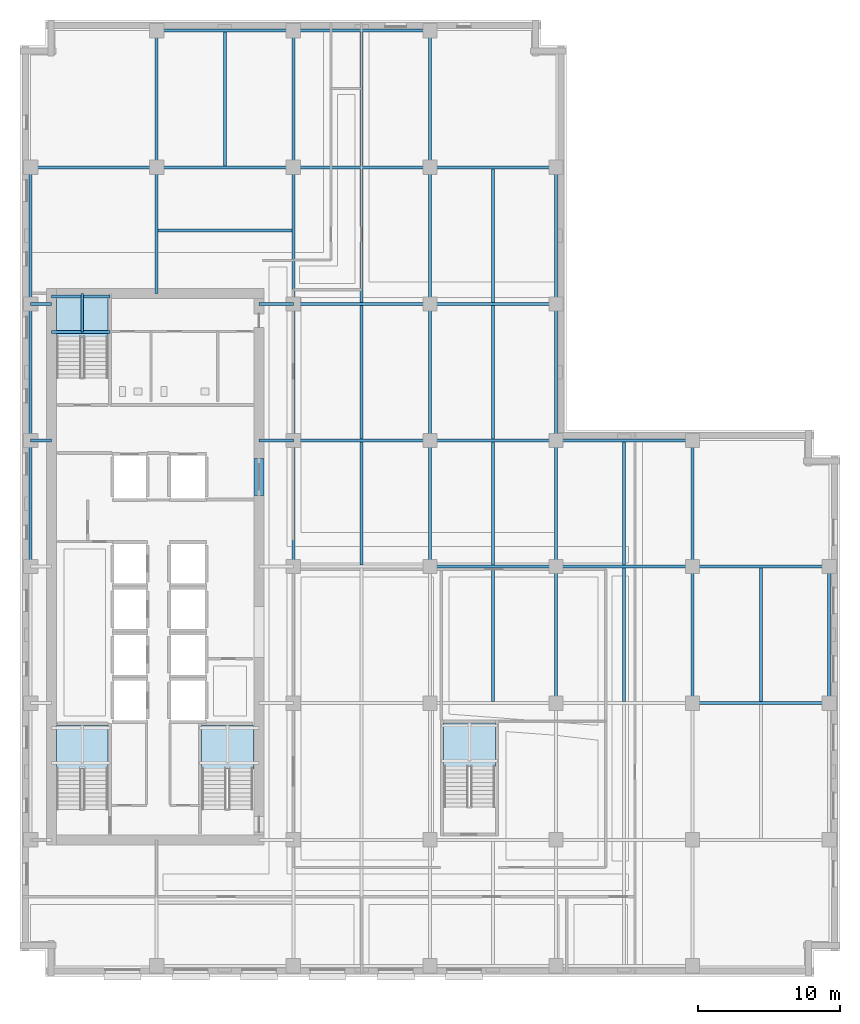
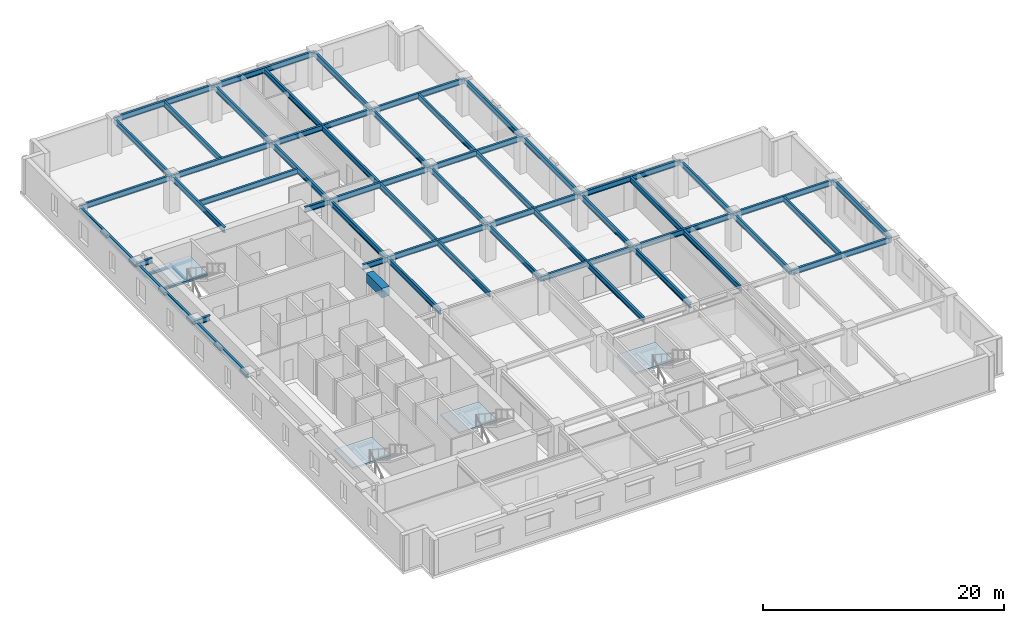
# One storey, part 2 of 12: 56 beams, 4 slabs, 4 elements without a shape of their own.
"""IFC4 building model written with IfcOpenShell, lengths in metres."""

from ifc_helpers import new_model, si_unit, direction, frame, origin, origin_2d, place, context, subcontext, project, spatial, polyline, rectangle, i_section, outline, extrude, material, layer, layer_set, material_profile, profile_set, type_object, element, aggregate, save


model = new_model("IFC4")

# Units and contexts
model_context = context("Model", 3, precision=1e-05, world=origin(), true_north=direction((0.0, 1.0)))
body_context = subcontext(model_context, "Body", "Model", "MODEL_VIEW")
ifc_project = project(units=[si_unit("LENGTHUNIT", "METRE"), si_unit("AREAUNIT", "SQUARE_METRE"), si_unit("VOLUMEUNIT", "CUBIC_METRE"), si_unit("PLANEANGLEUNIT", "RADIAN"), si_unit("MASSUNIT", "GRAM", prefix="KILO")], contexts=[model_context])

# Site, building, storey
site_placement = place(None, origin())
site = spatial("IfcSite", under=ifc_project, at=site_placement, CompositionType="ELEMENT")
building_placement = place(site_placement, origin())
building = spatial("IfcBuilding", under=site, at=building_placement, Name="Norrvale University Quadrangle", CompositionType="ELEMENT")
storey_placement = place(building_placement, frame((0.0, 0.0, 135.60009765625)))
storey = spatial("IfcBuildingStorey", under=building, at=storey_placement, Name="L34", CompositionType="ELEMENT", Elevation=135.60009765625)

# Beams
ifc_material_1 = material(Name="Concrete C80/95", Category="concrete")
ifc_material_profile_1 = material_profile(ifc_material_1, rectangle(XDim=0.699951171875, YDim=0.949951171875, at=origin_2d()), Name="Concrete C80/95")
ifc_profile_set_1 = profile_set([ifc_material_profile_1], Name="Concrete C80/95")
beam_type_1 = type_object("IfcBeamType", Name="Beam Core Link 700x950", PredefinedType="LINTEL", material=ifc_profile_set_1)
beam_1_placement = place(storey_placement, frame((16.800048828125, 33.800048828125, 3.06494140625), z_axis=(0.0, 1.0, 0.0), x_axis=(-1.0, 0.0, 0.0)))
element("IfcBeam", 1, at=beam_1_placement, inside=storey, type_object=beam_type_1, Name="Core Coupling Lintel Beam L34-2", PredefinedType="LINTEL", context=body_context, shape_type="SweptSolid", body=[
    extrude(rectangle(XDim=0.699951171875, YDim=0.949951171875, at=origin_2d()), origin(), (0.0, 0.0, 1.0), 2.599853515625),
])
ifc_material_2 = material(Name="Steel 350W", Category="steel")
ifc_material_profile_2 = material_profile(ifc_material_2, i_section(OverallWidth=0.2119140625, OverallDepth=0.5439453125, WebThickness=0.01318359375, FlangeThickness=0.021240234375, FilletRadius=0.013916015625, at=origin_2d()), Name="Steel 350W")
ifc_profile_set_2 = profile_set([ifc_material_profile_2], Name="Steel 350W")
beam_type_2 = type_object("IfcBeamType", Name="Beam Floor W530x123", PredefinedType="BEAM", material=ifc_profile_set_2)
beam_2_placement = place(storey_placement, frame((47.25, 19.199951171875, 3.267822265625), z_axis=(1.0, 0.0, 0.0), x_axis=(0.0, 1.0, 0.0)))
element("IfcBeam", 2, at=beam_2_placement, inside=storey, type_object=beam_type_2, Name="Beam Floor W530x123 BM-L34-GX012", PredefinedType="BEAM", context=body_context, shape_type="SweptSolid", body=[
    extrude(i_section(OverallWidth=0.2119140625, OverallDepth=0.5439453125, WebThickness=0.01318359375, FlangeThickness=0.021240234375, FilletRadius=0.013916015625, at=origin_2d()), origin(), (0.0, 0.0, 1.0), 9.60009765625),
])
beam_3_placement = place(storey_placement, frame((28.800048828125, 28.800048828125, 3.267822265625), z_axis=(1.0, 0.0, 0.0), x_axis=(0.0, 1.0, 0.0)))
element("IfcBeam", 3, at=beam_3_placement, inside=storey, type_object=beam_type_2, Name="Beam Floor W530x123 BM-L34-GX014", PredefinedType="BEAM", context=body_context, shape_type="SweptSolid", body=[
    extrude(i_section(OverallWidth=0.2119140625, OverallDepth=0.5439453125, WebThickness=0.01318359375, FlangeThickness=0.021240234375, FilletRadius=0.013916015625, at=origin_2d()), origin(), (0.0, 0.0, 1.0), 8.849853515625),
])
for number, where, z_axis, x_axis, name in (
    (4, (37.64990234375, 28.800048828125, 3.267822265625), (1.0, 0.0, 0.0), (0.0, 1.0, 0.0), "Beam Floor W530x123 BM-L34-GX015"),
    (5, (47.25, 28.800048828125, 3.267822265625), (1.0, 0.0, 0.0), (0.0, 1.0, 0.0), "Beam Floor W530x123 BM-L34-GX016"),
    (6, (19.199951171875, 37.64990234375, 3.267822265625), (1.0, 0.0, 0.0), (0.0, 1.0, 0.0), "Beam Floor W530x123 BM-L34-GX017"),
):
    element("IfcBeam", number, at=place(storey_placement, frame(where, z_axis=z_axis, x_axis=x_axis)), inside=storey, type_object=beam_type_2, Name=name, PredefinedType="BEAM", context=body_context, shape_type="SweptSolid", body=[
        extrude(i_section(OverallWidth=0.2119140625, OverallDepth=0.5439453125, WebThickness=0.01318359375, FlangeThickness=0.021240234375, FilletRadius=0.013916015625, at=origin_2d()), origin(), (0.0, 0.0, 1.0), 9.60009765625),
    ])
beam_4_placement = place(storey_placement, frame((28.800048828125, 37.64990234375, 3.267822265625), z_axis=(1.0, 0.0, 0.0), x_axis=(0.0, 1.0, 0.0)))
element("IfcBeam", 7, at=beam_4_placement, inside=storey, type_object=beam_type_2, Name="Beam Floor W530x123 BM-L34-GX018", PredefinedType="BEAM", context=body_context, shape_type="SweptSolid", body=[
    extrude(i_section(OverallWidth=0.2119140625, OverallDepth=0.5439453125, WebThickness=0.01318359375, FlangeThickness=0.021240234375, FilletRadius=0.013916015625, at=origin_2d()), origin(), (0.0, 0.0, 1.0), 8.849853515625),
])
for number, where, z_axis, x_axis, name in (
    (8, (37.64990234375, 37.64990234375, 3.267822265625), (1.0, 0.0, 0.0), (0.0, 1.0, 0.0), "Beam Floor W530x123 BM-L34-GX019"),
    (9, (19.199951171875, 47.25, 3.267822265625), (1.0, 0.0, 0.0), (0.0, 1.0, 0.0), "Beam Floor W530x123 BM-L34-GX020"),
):
    element("IfcBeam", number, at=place(storey_placement, frame(where, z_axis=z_axis, x_axis=x_axis)), inside=storey, type_object=beam_type_2, Name=name, PredefinedType="BEAM", context=body_context, shape_type="SweptSolid", body=[
        extrude(i_section(OverallWidth=0.2119140625, OverallDepth=0.5439453125, WebThickness=0.01318359375, FlangeThickness=0.021240234375, FilletRadius=0.013916015625, at=origin_2d()), origin(), (0.0, 0.0, 1.0), 9.60009765625),
    ])
beam_5_placement = place(storey_placement, frame((28.800048828125, 47.25, 3.267822265625), z_axis=(1.0, 0.0, 0.0), x_axis=(0.0, 1.0, 0.0)))
element("IfcBeam", 10, at=beam_5_placement, inside=storey, type_object=beam_type_2, Name="Beam Floor W530x123 BM-L34-GX021", PredefinedType="BEAM", context=body_context, shape_type="SweptSolid", body=[
    extrude(i_section(OverallWidth=0.2119140625, OverallDepth=0.5439453125, WebThickness=0.01318359375, FlangeThickness=0.021240234375, FilletRadius=0.013916015625, at=origin_2d()), origin(), (0.0, 0.0, 1.0), 8.849853515625),
])
beam_6_placement = place(storey_placement, frame((0.75, 56.85009765625, 3.267822265625), z_axis=(1.0, 0.0, 0.0), x_axis=(0.0, 1.0, 0.0)))
element("IfcBeam", 11, at=beam_6_placement, inside=storey, type_object=beam_type_2, Name="Beam Floor W530x123 BM-L34-GX022", PredefinedType="BEAM", context=body_context, shape_type="SweptSolid", body=[
    extrude(i_section(OverallWidth=0.2119140625, OverallDepth=0.5439453125, WebThickness=0.01318359375, FlangeThickness=0.021240234375, FilletRadius=0.013916015625, at=origin_2d()), origin(), (0.0, 0.0, 1.0), 8.85009765625),
])
beam_7_placement = place(storey_placement, frame((9.60009765625, 56.85009765625, 3.267822265625), z_axis=(1.0, 0.0, 0.0), x_axis=(0.0, 1.0, 0.0)))
element("IfcBeam", 12, at=beam_7_placement, inside=storey, type_object=beam_type_2, Name="Beam Floor W530x123 BM-L34-GX023", PredefinedType="BEAM", context=body_context, shape_type="SweptSolid", body=[
    extrude(i_section(OverallWidth=0.2119140625, OverallDepth=0.5439453125, WebThickness=0.01318359375, FlangeThickness=0.021240234375, FilletRadius=0.013916015625, at=origin_2d()), origin(), (0.0, 0.0, 1.0), 9.599853515625),
])
beam_8_placement = place(storey_placement, frame((19.199951171875, 56.85009765625, 3.267822265625), z_axis=(1.0, 0.0, 0.0), x_axis=(0.0, 1.0, 0.0)))
element("IfcBeam", 13, at=beam_8_placement, inside=storey, type_object=beam_type_2, Name="Beam Floor W530x123 BM-L34-GX024", PredefinedType="BEAM", context=body_context, shape_type="SweptSolid", body=[
    extrude(i_section(OverallWidth=0.2119140625, OverallDepth=0.5439453125, WebThickness=0.01318359375, FlangeThickness=0.021240234375, FilletRadius=0.013916015625, at=origin_2d()), origin(), (0.0, 0.0, 1.0), 9.60009765625),
])
beam_9_placement = place(storey_placement, frame((28.800048828125, 56.85009765625, 3.267822265625), z_axis=(1.0, 0.0, 0.0), x_axis=(0.0, 1.0, 0.0)))
element("IfcBeam", 14, at=beam_9_placement, inside=storey, type_object=beam_type_2, Name="Beam Floor W530x123 BM-L34-GX025", PredefinedType="BEAM", context=body_context, shape_type="SweptSolid", body=[
    extrude(i_section(OverallWidth=0.2119140625, OverallDepth=0.5439453125, WebThickness=0.01318359375, FlangeThickness=0.021240234375, FilletRadius=0.013916015625, at=origin_2d()), origin(), (0.0, 0.0, 1.0), 8.849853515625),
])
beam_10_placement = place(storey_placement, frame((9.60009765625, 66.449951171875, 3.267822265625), z_axis=(1.0, 0.0, 0.0), x_axis=(0.0, 1.0, 0.0)))
element("IfcBeam", 15, at=beam_10_placement, inside=storey, type_object=beam_type_2, Name="Beam Floor W530x123 BM-L34-GX026", PredefinedType="BEAM", context=body_context, shape_type="SweptSolid", body=[
    extrude(i_section(OverallWidth=0.2119140625, OverallDepth=0.5439453125, WebThickness=0.01318359375, FlangeThickness=0.021240234375, FilletRadius=0.013916015625, at=origin_2d()), origin(), (0.0, 0.0, 1.0), 9.599853515625),
])
beam_11_placement = place(storey_placement, frame((19.199951171875, 66.449951171875, 3.267822265625), z_axis=(1.0, 0.0, 0.0), x_axis=(0.0, 1.0, 0.0)))
element("IfcBeam", 16, at=beam_11_placement, inside=storey, type_object=beam_type_2, Name="Beam Floor W530x123 BM-L34-GX027", PredefinedType="BEAM", context=body_context, shape_type="SweptSolid", body=[
    extrude(i_section(OverallWidth=0.2119140625, OverallDepth=0.5439453125, WebThickness=0.01318359375, FlangeThickness=0.021240234375, FilletRadius=0.013916015625, at=origin_2d()), origin(), (0.0, 0.0, 1.0), 9.60009765625),
])
beam_12_placement = place(storey_placement, frame((0.75, 28.800048828125, 3.267822265625), z_axis=(0.0, 1.0, 0.0), x_axis=(-1.0, 0.0, 0.0)))
element("IfcBeam", 17, at=beam_12_placement, inside=storey, type_object=beam_type_2, Name="Beam Floor W530x123 BM-L34-GY030", PredefinedType="BEAM", context=body_context, shape_type="SweptSolid", body=[
    extrude(i_section(OverallWidth=0.2119140625, OverallDepth=0.5439453125, WebThickness=0.01318359375, FlangeThickness=0.021240234375, FilletRadius=0.013916015625, at=origin_2d()), origin(), (0.0, 0.0, 1.0), 8.849853515625),
])
for number, where, z_axis, x_axis, name in (
    (18, (0.75, 37.64990234375, 3.267822265625), (0.0, 1.0, 0.0), (-1.0, 0.0, 0.0), "Beam Floor W530x123 BM-L34-GY031"),
    (19, (0.75, 47.25, 3.267822265625), (0.0, 1.0, 0.0), (-1.0, 0.0, 0.0), "Beam Floor W530x123 BM-L34-GY032"),
):
    element("IfcBeam", number, at=place(storey_placement, frame(where, z_axis=z_axis, x_axis=x_axis)), inside=storey, type_object=beam_type_2, Name=name, PredefinedType="BEAM", context=body_context, shape_type="SweptSolid", body=[
        extrude(i_section(OverallWidth=0.2119140625, OverallDepth=0.5439453125, WebThickness=0.01318359375, FlangeThickness=0.021240234375, FilletRadius=0.013916015625, at=origin_2d()), origin(), (0.0, 0.0, 1.0), 9.60009765625),
    ])
beam_13_placement = place(storey_placement, frame((9.60009765625, 56.85009765625, 3.267822265625), z_axis=(0.0, 1.0, 0.0), x_axis=(-1.0, 0.0, 0.0)))
element("IfcBeam", 20, at=beam_13_placement, inside=storey, type_object=beam_type_2, Name="Beam Floor W530x123 BM-L34-GY033", PredefinedType="BEAM", context=body_context, shape_type="SweptSolid", body=[
    extrude(i_section(OverallWidth=0.2119140625, OverallDepth=0.5439453125, WebThickness=0.01318359375, FlangeThickness=0.021240234375, FilletRadius=0.013916015625, at=origin_2d()), origin(), (0.0, 0.0, 1.0), 9.599853515625),
])
beam_14_placement = place(storey_placement, frame((19.199951171875, 28.800048828125, 3.267822265625), z_axis=(0.0, 1.0, 0.0), x_axis=(-1.0, 0.0, 0.0)))
element("IfcBeam", 21, at=beam_14_placement, inside=storey, type_object=beam_type_2, Name="Beam Floor W530x123 BM-L34-GY037", PredefinedType="BEAM", context=body_context, shape_type="SweptSolid", body=[
    extrude(i_section(OverallWidth=0.2119140625, OverallDepth=0.5439453125, WebThickness=0.01318359375, FlangeThickness=0.021240234375, FilletRadius=0.013916015625, at=origin_2d()), origin(), (0.0, 0.0, 1.0), 8.849853515625),
])
for number, where, z_axis, x_axis, name in (
    (22, (19.199951171875, 37.64990234375, 3.267822265625), (0.0, 1.0, 0.0), (-1.0, 0.0, 0.0), "Beam Floor W530x123 BM-L34-GY038"),
    (23, (19.199951171875, 47.25, 3.267822265625), (0.0, 1.0, 0.0), (-1.0, 0.0, 0.0), "Beam Floor W530x123 BM-L34-GY039"),
):
    element("IfcBeam", number, at=place(storey_placement, frame(where, z_axis=z_axis, x_axis=x_axis)), inside=storey, type_object=beam_type_2, Name=name, PredefinedType="BEAM", context=body_context, shape_type="SweptSolid", body=[
        extrude(i_section(OverallWidth=0.2119140625, OverallDepth=0.5439453125, WebThickness=0.01318359375, FlangeThickness=0.021240234375, FilletRadius=0.013916015625, at=origin_2d()), origin(), (0.0, 0.0, 1.0), 9.60009765625),
    ])
beam_15_placement = place(storey_placement, frame((19.199951171875, 56.85009765625, 3.267822265625), z_axis=(0.0, 1.0, 0.0), x_axis=(-1.0, 0.0, 0.0)))
element("IfcBeam", 24, at=beam_15_placement, inside=storey, type_object=beam_type_2, Name="Beam Floor W530x123 BM-L34-GY040", PredefinedType="BEAM", context=body_context, shape_type="SweptSolid", body=[
    extrude(i_section(OverallWidth=0.2119140625, OverallDepth=0.5439453125, WebThickness=0.01318359375, FlangeThickness=0.021240234375, FilletRadius=0.013916015625, at=origin_2d()), origin(), (0.0, 0.0, 1.0), 9.599853515625),
])
beam_16_placement = place(storey_placement, frame((28.800048828125, 28.800048828125, 3.267822265625), z_axis=(0.0, 1.0, 0.0), x_axis=(-1.0, 0.0, 0.0)))
element("IfcBeam", 25, at=beam_16_placement, inside=storey, type_object=beam_type_2, Name="Beam Floor W530x123 BM-L34-GY044", PredefinedType="BEAM", context=body_context, shape_type="SweptSolid", body=[
    extrude(i_section(OverallWidth=0.2119140625, OverallDepth=0.5439453125, WebThickness=0.01318359375, FlangeThickness=0.021240234375, FilletRadius=0.013916015625, at=origin_2d()), origin(), (0.0, 0.0, 1.0), 8.849853515625),
])
for number, where, z_axis, x_axis, name in (
    (26, (28.800048828125, 37.64990234375, 3.267822265625), (0.0, 1.0, 0.0), (-1.0, 0.0, 0.0), "Beam Floor W530x123 BM-L34-GY045"),
    (27, (28.800048828125, 47.25, 3.267822265625), (0.0, 1.0, 0.0), (-1.0, 0.0, 0.0), "Beam Floor W530x123 BM-L34-GY046"),
):
    element("IfcBeam", number, at=place(storey_placement, frame(where, z_axis=z_axis, x_axis=x_axis)), inside=storey, type_object=beam_type_2, Name=name, PredefinedType="BEAM", context=body_context, shape_type="SweptSolid", body=[
        extrude(i_section(OverallWidth=0.2119140625, OverallDepth=0.5439453125, WebThickness=0.01318359375, FlangeThickness=0.021240234375, FilletRadius=0.013916015625, at=origin_2d()), origin(), (0.0, 0.0, 1.0), 9.60009765625),
    ])
beam_17_placement = place(storey_placement, frame((28.800048828125, 56.85009765625, 3.267822265625), z_axis=(0.0, 1.0, 0.0), x_axis=(-1.0, 0.0, 0.0)))
element("IfcBeam", 28, at=beam_17_placement, inside=storey, type_object=beam_type_2, Name="Beam Floor W530x123 BM-L34-GY047", PredefinedType="BEAM", context=body_context, shape_type="SweptSolid", body=[
    extrude(i_section(OverallWidth=0.2119140625, OverallDepth=0.5439453125, WebThickness=0.01318359375, FlangeThickness=0.021240234375, FilletRadius=0.013916015625, at=origin_2d()), origin(), (0.0, 0.0, 1.0), 9.599853515625),
])
beam_18_placement = place(storey_placement, frame((37.64990234375, 19.199951171875, 3.267822265625), z_axis=(0.0, 1.0, 0.0), x_axis=(-1.0, 0.0, 0.0)))
element("IfcBeam", 29, at=beam_18_placement, inside=storey, type_object=beam_type_2, Name="Beam Floor W530x123 BM-L34-GY050", PredefinedType="BEAM", context=body_context, shape_type="SweptSolid", body=[
    extrude(i_section(OverallWidth=0.2119140625, OverallDepth=0.5439453125, WebThickness=0.01318359375, FlangeThickness=0.021240234375, FilletRadius=0.013916015625, at=origin_2d()), origin(), (0.0, 0.0, 1.0), 9.60009765625),
])
beam_19_placement = place(storey_placement, frame((37.64990234375, 28.800048828125, 3.267822265625), z_axis=(0.0, 1.0, 0.0), x_axis=(-1.0, 0.0, 0.0)))
element("IfcBeam", 30, at=beam_19_placement, inside=storey, type_object=beam_type_2, Name="Beam Floor W530x123 BM-L34-GY051", PredefinedType="BEAM", context=body_context, shape_type="SweptSolid", body=[
    extrude(i_section(OverallWidth=0.2119140625, OverallDepth=0.5439453125, WebThickness=0.01318359375, FlangeThickness=0.021240234375, FilletRadius=0.013916015625, at=origin_2d()), origin(), (0.0, 0.0, 1.0), 8.849853515625),
])
for number, where, z_axis, x_axis, name in (
    (31, (37.64990234375, 37.64990234375, 3.267822265625), (0.0, 1.0, 0.0), (-1.0, 0.0, 0.0), "Beam Floor W530x123 BM-L34-GY052"),
    (32, (37.64990234375, 47.25, 3.267822265625), (0.0, 1.0, 0.0), (-1.0, 0.0, 0.0), "Beam Floor W530x123 BM-L34-GY053"),
    (33, (47.25, 19.199951171875, 3.267822265625), (0.0, 1.0, 0.0), (-1.0, 0.0, 0.0), "Beam Floor W530x123 BM-L34-GY056"),
):
    element("IfcBeam", number, at=place(storey_placement, frame(where, z_axis=z_axis, x_axis=x_axis)), inside=storey, type_object=beam_type_2, Name=name, PredefinedType="BEAM", context=body_context, shape_type="SweptSolid", body=[
        extrude(i_section(OverallWidth=0.2119140625, OverallDepth=0.5439453125, WebThickness=0.01318359375, FlangeThickness=0.021240234375, FilletRadius=0.013916015625, at=origin_2d()), origin(), (0.0, 0.0, 1.0), 9.60009765625),
    ])
beam_20_placement = place(storey_placement, frame((47.25, 28.800048828125, 3.267822265625), z_axis=(0.0, 1.0, 0.0), x_axis=(-1.0, 0.0, 0.0)))
element("IfcBeam", 34, at=beam_20_placement, inside=storey, type_object=beam_type_2, Name="Beam Floor W530x123 BM-L34-GY057", PredefinedType="BEAM", context=body_context, shape_type="SweptSolid", body=[
    extrude(i_section(OverallWidth=0.2119140625, OverallDepth=0.5439453125, WebThickness=0.01318359375, FlangeThickness=0.021240234375, FilletRadius=0.013916015625, at=origin_2d()), origin(), (0.0, 0.0, 1.0), 8.849853515625),
])
beam_21_placement = place(storey_placement, frame((56.85009765625, 19.199951171875, 3.267822265625), z_axis=(0.0, 1.0, 0.0), x_axis=(-1.0, 0.0, 0.0)))
element("IfcBeam", 35, at=beam_21_placement, inside=storey, type_object=beam_type_2, Name="Beam Floor W530x123 BM-L34-GY059", PredefinedType="BEAM", context=body_context, shape_type="SweptSolid", body=[
    extrude(i_section(OverallWidth=0.2119140625, OverallDepth=0.5439453125, WebThickness=0.01318359375, FlangeThickness=0.021240234375, FilletRadius=0.013916015625, at=origin_2d()), origin(), (0.0, 0.0, 1.0), 9.60009765625),
])
beam_22_placement = place(storey_placement, frame((0.75, 37.64990234375, 3.267822265625), z_axis=(1.0, 0.0, 0.0), x_axis=(0.0, 1.0, 0.0)))
element("IfcBeam", 36, at=beam_22_placement, inside=storey, type_object=beam_type_2, Name="Beam Floor W530x123 BM-L34-GCW066", PredefinedType="BEAM", context=body_context, shape_type="SweptSolid", body=[
    extrude(i_section(OverallWidth=0.2119140625, OverallDepth=0.5439453125, WebThickness=0.01318359375, FlangeThickness=0.021240234375, FilletRadius=0.013916015625, at=origin_2d()), origin(), (0.0, 0.0, 1.0), 1.449951171875),
])
beam_23_placement = place(storey_placement, frame((16.800048828125, 37.64990234375, 3.267822265625), z_axis=(1.0, 0.0, 0.0), x_axis=(0.0, 1.0, 0.0)))
element("IfcBeam", 37, at=beam_23_placement, inside=storey, type_object=beam_type_2, Name="Beam Floor W530x123 BM-L34-GCE067", PredefinedType="BEAM", context=body_context, shape_type="SweptSolid", body=[
    extrude(i_section(OverallWidth=0.2119140625, OverallDepth=0.5439453125, WebThickness=0.01318359375, FlangeThickness=0.021240234375, FilletRadius=0.013916015625, at=origin_2d()), origin(), (0.0, 0.0, 1.0), 2.39990234375),
])
beam_24_placement = place(storey_placement, frame((0.75, 47.25, 3.267822265625), z_axis=(1.0, 0.0, 0.0), x_axis=(0.0, 1.0, 0.0)))
element("IfcBeam", 38, at=beam_24_placement, inside=storey, type_object=beam_type_2, Name="Beam Floor W530x123 BM-L34-GCW068", PredefinedType="BEAM", context=body_context, shape_type="SweptSolid", body=[
    extrude(i_section(OverallWidth=0.2119140625, OverallDepth=0.5439453125, WebThickness=0.01318359375, FlangeThickness=0.021240234375, FilletRadius=0.013916015625, at=origin_2d()), origin(), (0.0, 0.0, 1.0), 1.449951171875),
])
beam_25_placement = place(storey_placement, frame((16.800048828125, 47.25, 3.267822265625), z_axis=(1.0, 0.0, 0.0), x_axis=(0.0, 1.0, 0.0)))
element("IfcBeam", 39, at=beam_25_placement, inside=storey, type_object=beam_type_2, Name="Beam Floor W530x123 BM-L34-GCE069", PredefinedType="BEAM", context=body_context, shape_type="SweptSolid", body=[
    extrude(i_section(OverallWidth=0.2119140625, OverallDepth=0.5439453125, WebThickness=0.01318359375, FlangeThickness=0.021240234375, FilletRadius=0.013916015625, at=origin_2d()), origin(), (0.0, 0.0, 1.0), 2.39990234375),
])
beam_26_placement = place(storey_placement, frame((9.60009765625, 48.0, 3.267822265625), z_axis=(0.0, 1.0, 0.0), x_axis=(-1.0, 0.0, 0.0)))
element("IfcBeam", 40, at=beam_26_placement, inside=storey, type_object=beam_type_2, Name="Beam Floor W530x123 BM-L34-GCN091", PredefinedType="BEAM", context=body_context, shape_type="SweptSolid", body=[
    extrude(i_section(OverallWidth=0.2119140625, OverallDepth=0.5439453125, WebThickness=0.01318359375, FlangeThickness=0.021240234375, FilletRadius=0.013916015625, at=origin_2d()), origin(), (0.0, 0.0, 1.0), 8.85009765625),
])
ifc_material_profile_3 = material_profile(ifc_material_2, i_section(OverallWidth=0.208984375, OverallDepth=0.532958984375, WebThickness=0.01025390625, FlangeThickness=0.015625, FilletRadius=0.013916015625, at=origin_2d()), Name="Steel 350W")
ifc_profile_set_3 = profile_set([ifc_material_profile_3], Name="Steel 350W")
beam_type_3 = type_object("IfcBeamType", Name="Beam Floor W530x92", PredefinedType="JOIST", material=ifc_profile_set_3)
beam_27_placement = place(storey_placement, frame((14.39990234375, 56.9560546875, 3.2734375), z_axis=(0.0, 1.0, 0.0), x_axis=(-1.0, 0.0, 0.0)))
element("IfcBeam", 41, at=beam_27_placement, inside=storey, type_object=beam_type_3, Name="Beam Floor W530x92 BM-L34-J070", PredefinedType="JOIST", context=body_context, shape_type="SweptSolid", body=[
    extrude(i_section(OverallWidth=0.208984375, OverallDepth=0.532958984375, WebThickness=0.01025390625, FlangeThickness=0.015625, FilletRadius=0.013916015625, at=origin_2d()), origin(), (0.0, 0.0, 1.0), 9.387939453125),
])
beam_28_placement = place(storey_placement, frame((24.0, 28.906005859375, 3.2734375), z_axis=(0.0, 1.0, 0.0), x_axis=(-1.0, 0.0, 0.0)))
element("IfcBeam", 42, at=beam_28_placement, inside=storey, type_object=beam_type_3, Name="Beam Floor W530x92 BM-L34-J074", PredefinedType="JOIST", context=body_context, shape_type="SweptSolid", body=[
    extrude(i_section(OverallWidth=0.208984375, OverallDepth=0.532958984375, WebThickness=0.01025390625, FlangeThickness=0.015625, FilletRadius=0.013916015625, at=origin_2d()), origin(), (0.0, 0.0, 1.0), 8.637939453125),
])
for number, where, z_axis, x_axis, name in (
    (43, (24.0, 37.756103515625, 3.2734375), (0.0, 1.0, 0.0), (-1.0, 0.0, 0.0), "Beam Floor W530x92 BM-L34-J075"),
    (44, (24.0, 47.35595703125, 3.2734375), (0.0, 1.0, 0.0), (-1.0, 0.0, 0.0), "Beam Floor W530x92 BM-L34-J076"),
    (45, (24.0, 56.9560546875, 3.2734375), (0.0, 1.0, 0.0), (-1.0, 0.0, 0.0), "Beam Floor W530x92 BM-L34-J077"),
):
    element("IfcBeam", number, at=place(storey_placement, frame(where, z_axis=z_axis, x_axis=x_axis)), inside=storey, type_object=beam_type_3, Name=name, PredefinedType="JOIST", context=body_context, shape_type="SweptSolid", body=[
        extrude(i_section(OverallWidth=0.208984375, OverallDepth=0.532958984375, WebThickness=0.01025390625, FlangeThickness=0.015625, FilletRadius=0.013916015625, at=origin_2d()), origin(), (0.0, 0.0, 1.0), 9.387939453125),
    ])
beam_29_placement = place(storey_placement, frame((33.22509765625, 19.305908203125, 3.2734375), z_axis=(0.0, 1.0, 0.0), x_axis=(-1.0, 0.0, 0.0)))
element("IfcBeam", 46, at=beam_29_placement, inside=storey, type_object=beam_type_3, Name="Beam Floor W530x92 BM-L34-J079", PredefinedType="JOIST", context=body_context, shape_type="SweptSolid", body=[
    extrude(i_section(OverallWidth=0.208984375, OverallDepth=0.532958984375, WebThickness=0.01025390625, FlangeThickness=0.015625, FilletRadius=0.013916015625, at=origin_2d()), origin(), (0.0, 0.0, 1.0), 9.38818359375),
])
beam_30_placement = place(storey_placement, frame((33.22509765625, 28.906005859375, 3.2734375), z_axis=(0.0, 1.0, 0.0), x_axis=(-1.0, 0.0, 0.0)))
element("IfcBeam", 47, at=beam_30_placement, inside=storey, type_object=beam_type_3, Name="Beam Floor W530x92 BM-L34-J080", PredefinedType="JOIST", context=body_context, shape_type="SweptSolid", body=[
    extrude(i_section(OverallWidth=0.208984375, OverallDepth=0.532958984375, WebThickness=0.01025390625, FlangeThickness=0.015625, FilletRadius=0.013916015625, at=origin_2d()), origin(), (0.0, 0.0, 1.0), 8.637939453125),
])
for number, where, z_axis, x_axis, name in (
    (48, (33.22509765625, 37.756103515625, 3.2734375), (0.0, 1.0, 0.0), (-1.0, 0.0, 0.0), "Beam Floor W530x92 BM-L34-J081"),
    (49, (33.22509765625, 47.35595703125, 3.2734375), (0.0, 1.0, 0.0), (-1.0, 0.0, 0.0), "Beam Floor W530x92 BM-L34-J082"),
):
    element("IfcBeam", number, at=place(storey_placement, frame(where, z_axis=z_axis, x_axis=x_axis)), inside=storey, type_object=beam_type_3, Name=name, PredefinedType="JOIST", context=body_context, shape_type="SweptSolid", body=[
        extrude(i_section(OverallWidth=0.208984375, OverallDepth=0.532958984375, WebThickness=0.01025390625, FlangeThickness=0.015625, FilletRadius=0.013916015625, at=origin_2d()), origin(), (0.0, 0.0, 1.0), 9.387939453125),
    ])
beam_31_placement = place(storey_placement, frame((42.449951171875, 19.305908203125, 3.2734375), z_axis=(0.0, 1.0, 0.0), x_axis=(-1.0, 0.0, 0.0)))
element("IfcBeam", 50, at=beam_31_placement, inside=storey, type_object=beam_type_3, Name="Beam Floor W530x92 BM-L34-J085", PredefinedType="JOIST", context=body_context, shape_type="SweptSolid", body=[
    extrude(i_section(OverallWidth=0.208984375, OverallDepth=0.532958984375, WebThickness=0.01025390625, FlangeThickness=0.015625, FilletRadius=0.013916015625, at=origin_2d()), origin(), (0.0, 0.0, 1.0), 9.38818359375),
])
beam_32_placement = place(storey_placement, frame((42.449951171875, 28.906005859375, 3.2734375), z_axis=(0.0, 1.0, 0.0), x_axis=(-1.0, 0.0, 0.0)))
element("IfcBeam", 51, at=beam_32_placement, inside=storey, type_object=beam_type_3, Name="Beam Floor W530x92 BM-L34-J086", PredefinedType="JOIST", context=body_context, shape_type="SweptSolid", body=[
    extrude(i_section(OverallWidth=0.208984375, OverallDepth=0.532958984375, WebThickness=0.01025390625, FlangeThickness=0.015625, FilletRadius=0.013916015625, at=origin_2d()), origin(), (0.0, 0.0, 1.0), 8.637939453125),
])
beam_33_placement = place(storey_placement, frame((52.050048828125, 19.305908203125, 3.2734375), z_axis=(0.0, 1.0, 0.0), x_axis=(-1.0, 0.0, 0.0)))
element("IfcBeam", 52, at=beam_33_placement, inside=storey, type_object=beam_type_3, Name="Beam Floor W530x92 BM-L34-J088", PredefinedType="JOIST", context=body_context, shape_type="SweptSolid", body=[
    extrude(i_section(OverallWidth=0.208984375, OverallDepth=0.532958984375, WebThickness=0.01025390625, FlangeThickness=0.015625, FilletRadius=0.013916015625, at=origin_2d()), origin(), (0.0, 0.0, 1.0), 9.38818359375),
])
beam_34_placement = place(storey_placement, frame((9.7060546875, 52.39990234375, 3.2734375), z_axis=(1.0, 0.0, 0.0), x_axis=(0.0, 1.0, 0.0)))
element("IfcBeam", 53, at=beam_34_placement, inside=storey, type_object=beam_type_3, Name="Beam Floor W530x92 BM-L34-JCN092", PredefinedType="JOIST", context=body_context, shape_type="SweptSolid", body=[
    extrude(i_section(OverallWidth=0.208984375, OverallDepth=0.532958984375, WebThickness=0.01025390625, FlangeThickness=0.015625, FilletRadius=0.013916015625, at=origin_2d()), origin(), (0.0, 0.0, 1.0), 9.387939453125),
])
ifc_material_profile_4 = material_profile(ifc_material_2, i_section(OverallWidth=0.201904296875, OverallDepth=0.2470703125, WebThickness=0.00732421875, FlangeThickness=0.010986328125, FilletRadius=0.011962890625, at=origin_2d()), Name="Steel 350W")
ifc_profile_set_4 = profile_set([ifc_material_profile_4], Name="Steel 350W")
beam_type_4 = type_object("IfcBeamType", Name="Beam Stair W250x49", PredefinedType="BEAM", material=ifc_profile_set_4)
for number, where, z_axis, x_axis, name in (
    (54, (2.199951171875, 45.2900390625, 1.576416015625), (1.0, 0.0, 0.0), (0.0, 1.0, 0.0), "Stair Mid-Landing Front Beam ST-02 L34"),
    (55, (2.199951171875, 47.77001953125, 1.576416015625), (1.0, 0.0, 0.0), (0.0, 1.0, 0.0), "Stair Mid-Landing Rear Beam ST-02 L34"),
):
    element("IfcBeam", number, at=place(storey_placement, frame(where, z_axis=z_axis, x_axis=x_axis)), inside=storey, type_object=beam_type_4, Name=name, PredefinedType="BEAM", context=body_context, shape_type="SweptSolid", body=[
        extrude(i_section(OverallWidth=0.201904296875, OverallDepth=0.2470703125, WebThickness=0.00732421875, FlangeThickness=0.010986328125, FilletRadius=0.011962890625, at=origin_2d()), origin(), (0.0, 0.0, 1.0), 4.14013671875),
    ])
ifc_material_profile_5 = material_profile(ifc_material_2, i_section(OverallWidth=0.202880859375, OverallDepth=0.202880859375, WebThickness=0.007080078125, FlangeThickness=0.010986328125, FilletRadius=0.010009765625, at=origin_2d()), Name="Steel 350W")
ifc_profile_set_5 = profile_set([ifc_material_profile_5], Name="Steel 350W")
beam_type_5 = type_object("IfcBeamType", Name="Beam Trim W200x46", PredefinedType="BEAM", material=ifc_profile_set_5)
beam_35_placement = place(storey_placement, frame((4.375, 45.2900390625, 1.598388671875), z_axis=(0.0, 1.0, 0.0), x_axis=(-1.0, 0.0, 0.0)))
element("IfcBeam", 56, at=beam_35_placement, inside=storey, type_object=beam_type_5, Name="Stair Mid-Landing Cross Beam ST-02 L34", PredefinedType="BEAM", context=body_context, shape_type="SweptSolid", body=[
    extrude(i_section(OverallWidth=0.202880859375, OverallDepth=0.202880859375, WebThickness=0.007080078125, FlangeThickness=0.010986328125, FilletRadius=0.010009765625, at=origin_2d()), origin(), (0.0, 0.0, 1.0), 2.7099609375),
])

# Stair, slab
ifc_material_3 = material(Name="Concrete C40/50", Category="concrete")
stair_type = type_object("IfcStairType", Name="Stair Tower Typ 3800", PredefinedType="TWO_STRAIGHT_RUN_STAIR", material=ifc_material_3)
stair_1_placement = place(storey_placement, origin())
stair_1 = element("IfcStair", 57, at=stair_1_placement, inside=storey, type_object=stair_type, Name="Exit Stair ST-01 L34", PredefinedType="TWO_STRAIGHT_RUN_STAIR")
ifc_layer = layer(ifc_material_3, 0.199951171875, Name="Concrete C40/50")
ifc_layer_set = layer_set([ifc_layer], Name="Concrete C40/50")
slab_type = type_object("IfcSlabType", Name="Slab Landing 200", PredefinedType="LANDING", material=ifc_layer_set)
slab_1_placement = place(storey_placement, frame((0.0, 0.0, 1.699951171875)))
slab_1 = element("IfcSlab", 58, at=slab_1_placement, type_object=slab_type, Name="Exit Stair ST-01 L34 Mid Landing", PredefinedType="LANDING", context=body_context, shape_type="SweptSolid", body=[
    extrude(outline(polyline([(2.550048828125, 14.590087890625), (6.199951171875, 14.590087890625), (6.199951171875, 17.64990234375), (2.550048828125, 17.64990234375), (2.550048828125, 14.590087890625)])), origin(), (0.0, 0.0, 1.0), 0.199951171875),
])
aggregate(stair_1, [slab_1])

stair_2_placement = place(storey_placement, origin())
stair_2 = element("IfcStair", 59, at=stair_2_placement, inside=storey, type_object=stair_type, Name="Exit Stair ST-02 L34", PredefinedType="TWO_STRAIGHT_RUN_STAIR")
slab_2_placement = place(storey_placement, frame((0.0, 0.0, 1.699951171875)))
slab_2 = element("IfcSlab", 60, at=slab_2_placement, type_object=slab_type, Name="Exit Stair ST-02 L34 Mid Landing", PredefinedType="LANDING", context=body_context, shape_type="SweptSolid", body=[
    extrude(outline(polyline([(2.550048828125, 44.889892578125), (6.199951171875, 44.889892578125), (6.199951171875, 47.949951171875), (2.550048828125, 47.949951171875), (2.550048828125, 44.889892578125)])), origin(), (0.0, 0.0, 1.0), 0.199951171875),
])
aggregate(stair_2, [slab_2])

stair_3_placement = place(storey_placement, origin())
stair_3 = element("IfcStair", 61, at=stair_3_placement, inside=storey, type_object=stair_type, Name="Exit Stair ST-03 L34", PredefinedType="TWO_STRAIGHT_RUN_STAIR")
slab_3_placement = place(storey_placement, frame((0.0, 0.0, 1.699951171875)))
slab_3 = element("IfcSlab", 62, at=slab_3_placement, type_object=slab_type, Name="Exit Stair ST-03 L34 Mid Landing", PredefinedType="LANDING", context=body_context, shape_type="SweptSolid", body=[
    extrude(outline(polyline([(12.75, 14.590087890625), (16.39990234375, 14.590087890625), (16.39990234375, 17.64990234375), (12.75, 17.64990234375), (12.75, 14.590087890625)])), origin(), (0.0, 0.0, 1.0), 0.199951171875),
])
aggregate(stair_3, [slab_3])

stair_4_placement = place(storey_placement, origin())
stair_4 = element("IfcStair", 63, at=stair_4_placement, inside=storey, type_object=stair_type, Name="Exit Stair ST-04 L34", PredefinedType="TWO_STRAIGHT_RUN_STAIR")
slab_4_placement = place(storey_placement, frame((0.0, 0.0, 1.699951171875)))
slab_4 = element("IfcSlab", 64, at=slab_4_placement, type_object=slab_type, Name="Exit Stair ST-04 L34 Mid Landing", PredefinedType="LANDING", context=body_context, shape_type="SweptSolid", body=[
    extrude(outline(polyline([(29.75, 14.739990234375), (33.39990234375, 14.739990234375), (33.39990234375, 17.800048828125), (29.75, 17.800048828125), (29.75, 14.739990234375)])), origin(), (0.0, 0.0, 1.0), 0.199951171875),
])
aggregate(stair_4, [slab_4])

save(model, "model.ifc")
